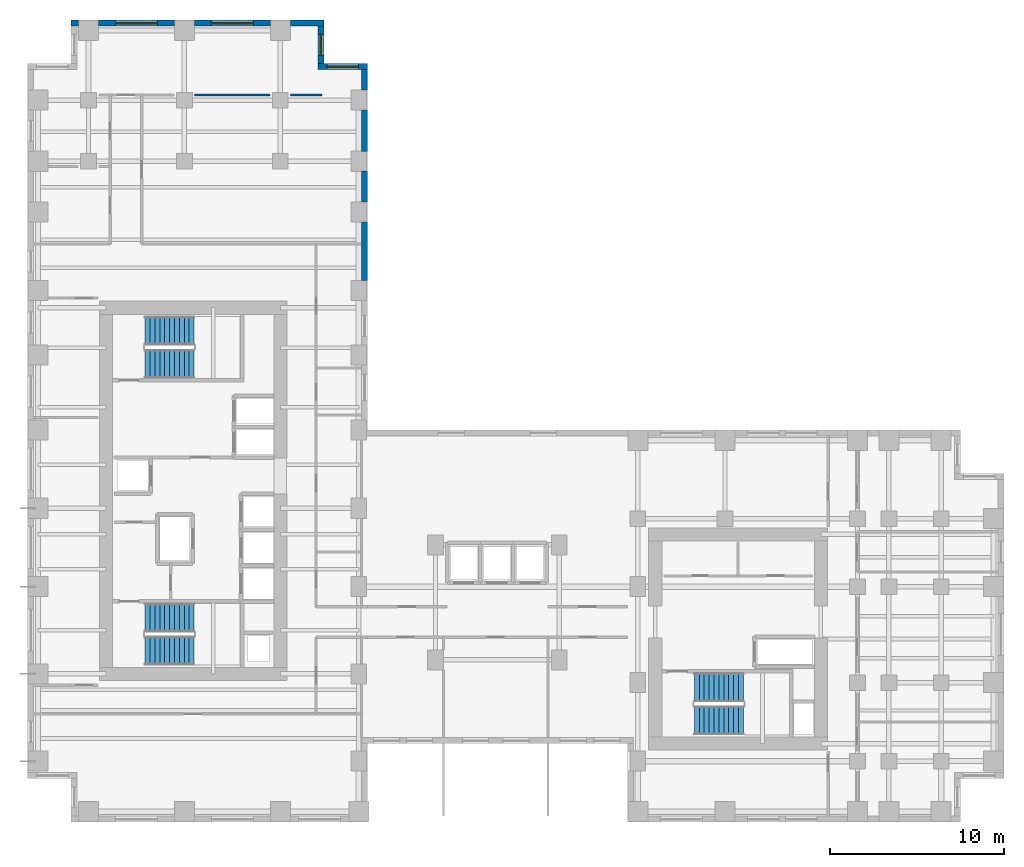
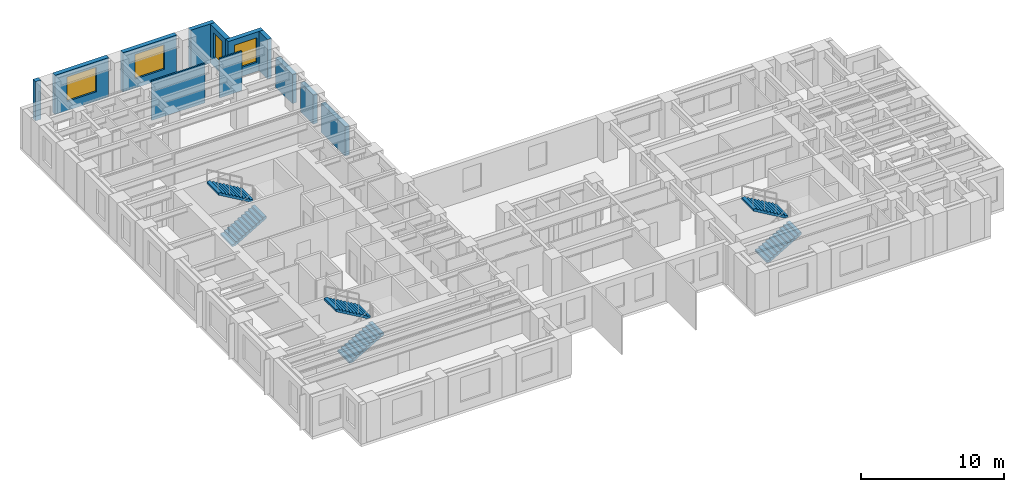
# One storey, part 9 of 11: 12 walls, 6 stair flights, 4 windows, 4 openings, 3 elements without a shape of their own.
"""IFC4 building model written with IfcOpenShell, lengths in metres."""

from ifc_helpers import new_model, si_unit, direction, frame, frame_2d, origin, place, context, subcontext, project, spatial, polyline, rectangle, outline, extrude, source, transform, mapped, material, layer, layer_set, type_object, element, fill, aggregate, save


model = new_model("IFC4")

# Units and contexts
model_context = context("Model", 3, precision=1e-05, world=origin(), true_north=direction((0.0, 1.0)))
body_context = subcontext(model_context, "Body", "Model", "MODEL_VIEW")
ifc_project = project(units=[si_unit("LENGTHUNIT", "METRE"), si_unit("AREAUNIT", "SQUARE_METRE"), si_unit("VOLUMEUNIT", "CUBIC_METRE"), si_unit("PLANEANGLEUNIT", "RADIAN"), si_unit("MASSUNIT", "GRAM", prefix="KILO")], contexts=[model_context])

# Site, building, storey
site_placement = place(None, origin())
site = spatial("IfcSite", under=ifc_project, at=site_placement, CompositionType="ELEMENT")
building_placement = place(site_placement, origin())
building = spatial("IfcBuilding", under=site, at=building_placement, Name="Kharzan Plaza Tower", CompositionType="ELEMENT")
storey_placement = place(building_placement, frame((0.0, 0.0, 84.60009765625)))
storey = spatial("IfcBuildingStorey", under=building, at=storey_placement, Name="L22", CompositionType="ELEMENT", Elevation=84.60009765625)

# Wall, opening, window
ifc_material_1 = material(Name="Concrete C40/50", Category="concrete")
ifc_layer_1 = layer(ifc_material_1, 0.35009765625)
ifc_layer_set_1 = layer_set([ifc_layer_1], Name="Concrete C40/50")
wall_type_1 = type_object("IfcWallType", Name="WL-EXT-MAS-Z2", PredefinedType="SOLIDWALL", material=ifc_layer_set_1)
wall_1_placement = place(storey_placement, frame((19.5, 43.324951171875, 0.0), z_axis=(0.0, 0.0, 1.0), x_axis=(-1.0, 0.0, 0.0)))
wall_1 = element("IfcWall", 1, at=wall_1_placement, inside=storey, type_object=wall_type_1, Name="L22 Masonry-Frame Exterior Wall 01", PredefinedType="SOLIDWALL", context=body_context, shape_type="SweptSolid", body=[
    extrude(rectangle(XDim=2.85009765625, YDim=0.35009765625, at=frame_2d((1.425048828125, 0.0))), origin(), (0.0, 0.0, 1.0), 3.364990234375),
])
opening_1_placement = place(wall_1_placement, frame((0.52490234375, 0.0, 0.780029296875)))
opening_1 = element("IfcOpeningElement", 2, at=opening_1_placement, cuts=wall_1, Name="Opening W1", PredefinedType="OPENING", context=body_context, shape_type="SweptSolid", body=[
    extrude(rectangle(XDim=1.800048828125, YDim=2.10009765625, at=frame_2d((0.89990234375, 1.050048828125))), frame((0.0, 0.18505859375, 0.0), z_axis=(0.0, -1.0, 0.0), x_axis=(1.0, 0.0, 0.0)), (0.0, 0.0, 1.0), 0.3701171875),
])
ifc_material_2 = material(Name="Low-E Double Glazing", Category="glass")
window_type_1 = type_object("IfcWindowType", Name="WN-REC-1800x2100", PartitioningType="SINGLE_PANEL", PredefinedType="WINDOW", material=ifc_material_2)
shared_shape_1 = source(origin(), body_context, "Body", "SweptSolid", [
    extrude(rectangle(XDim=1.800048828125, YDim=2.10009765625, at=frame_2d((0.89990234375, 1.050048828125))), frame((0.0, 0.030029296875, 0.0), z_axis=(0.0, -1.0, 0.0), x_axis=(1.0, 0.0, 0.0)), (0.0, 0.0, 1.0), 0.06005859375),
])
window_1_placement = place(opening_1_placement, origin())
window_1 = element("IfcWindow", 3, at=window_1_placement, inside=storey, type_object=window_type_1, Name="L22 Recessed Solar-Control Window 01-1", OverallHeight=2.10009765625, OverallWidth=1.800048828125, PartitioningType="SINGLE_PANEL", PredefinedType="WINDOW", context=body_context, shape_type="MappedRepresentation", body=[
    mapped(shared_shape_1, transform((0.0, 0.0, 0.0), x_axis=(1.0, 0.0, 0.0), y_axis=(0.0, 1.0, 0.0), z_axis=(0.0, 0.0, 1.0))),
])
fill(opening_1, window_1)

wall_2_placement = place(storey_placement, frame((16.824951171875, 43.498046875, 0.0), z_axis=(0.0, 0.0, 1.0), x_axis=(0.0, 1.0, 0.0)))
wall_2 = element("IfcWall", 4, at=wall_2_placement, inside=storey, type_object=wall_type_1, Name="L22 Masonry-Frame Exterior Wall 02", PredefinedType="SOLIDWALL", context=body_context, shape_type="SweptSolid", body=[
    extrude(rectangle(XDim=2.154052734375, YDim=0.35009765625, at=frame_2d((1.0771484375, 0.0))), origin(), (0.0, 0.0, 1.0), 3.364990234375),
])
opening_2_placement = place(wall_2_placement, frame((0.47705078125, 0.0, 0.780029296875)))
opening_2 = element("IfcOpeningElement", 5, at=opening_2_placement, cuts=wall_2, Name="Opening W3", PredefinedType="OPENING", context=body_context, shape_type="SweptSolid", body=[
    extrude(rectangle(XDim=1.199951171875, YDim=2.10009765625, at=frame_2d((0.60009765625, 1.050048828125))), frame((0.0, 0.18505859375, 0.0), z_axis=(0.0, -1.0, 0.0), x_axis=(1.0, 0.0, 0.0)), (0.0, 0.0, 1.0), 0.3701171875),
])
window_type_2 = type_object("IfcWindowType", Name="WN-REC-1200x2100", PartitioningType="SINGLE_PANEL", PredefinedType="WINDOW", material=ifc_material_2)
shared_shape_2 = source(origin(), body_context, "Body", "SweptSolid", [
    extrude(rectangle(XDim=1.199951171875, YDim=2.10009765625, at=frame_2d((0.60009765625, 1.050048828125))), frame((0.0, 0.030029296875, 0.0), z_axis=(0.0, -1.0, 0.0), x_axis=(1.0, 0.0, 0.0)), (0.0, 0.0, 1.0), 0.06005859375),
])
window_2_placement = place(opening_2_placement, origin())
window_2 = element("IfcWindow", 6, at=window_2_placement, inside=storey, type_object=window_type_2, Name="L22 Recessed Solar-Control Window 02-1", OverallHeight=2.10009765625, OverallWidth=1.199951171875, PartitioningType="SINGLE_PANEL", PredefinedType="WINDOW", context=body_context, shape_type="MappedRepresentation", body=[
    mapped(shared_shape_2, transform((0.0, 0.0, 0.0), x_axis=(1.0, 0.0, 0.0), y_axis=(0.0, 1.0, 0.0), z_axis=(0.0, 0.0, 1.0))),
])
fill(opening_2, window_2)

wall_3_placement = place(storey_placement, frame((13.927001953125, 45.824951171875, 0.0), z_axis=(0.0, 0.0, 1.0), x_axis=(-1.0, 0.0, 0.0)))
wall_3 = element("IfcWall", 7, at=wall_3_placement, inside=storey, type_object=wall_type_1, Name="L22 Masonry-Frame Exterior Wall 04", PredefinedType="SOLIDWALL", context=body_context, shape_type="SweptSolid", body=[
    extrude(rectangle(XDim=4.35400390625, YDim=0.35009765625, at=frame_2d((2.177001953125, 0.0))), origin(), (0.0, 0.0, 1.0), 3.364990234375),
])
opening_3_placement = place(wall_3_placement, frame((0.97705078125, 0.0, 0.780029296875)))
opening_3 = element("IfcOpeningElement", 8, at=opening_3_placement, cuts=wall_3, Name="Opening W2", PredefinedType="OPENING", context=body_context, shape_type="SweptSolid", body=[
    extrude(rectangle(XDim=2.39990234375, YDim=2.10009765625, at=frame_2d((1.199951171875, 1.050048828125))), frame((0.0, 0.18505859375, 0.0), z_axis=(0.0, -1.0, 0.0), x_axis=(1.0, 0.0, 0.0)), (0.0, 0.0, 1.0), 0.3701171875),
])
window_type_3 = type_object("IfcWindowType", Name="WN-REC-2400x2100", PartitioningType="SINGLE_PANEL", PredefinedType="WINDOW", material=ifc_material_2)
shared_shape_3 = source(origin(), body_context, "Body", "SweptSolid", [
    extrude(rectangle(XDim=2.39990234375, YDim=2.10009765625, at=frame_2d((1.199951171875, 1.050048828125))), frame((0.0, 0.030029296875, 0.0), z_axis=(0.0, -1.0, 0.0), x_axis=(1.0, 0.0, 0.0)), (0.0, 0.0, 1.0), 0.06005859375),
])
window_3_placement = place(opening_3_placement, origin())
window_3 = element("IfcWindow", 9, at=window_3_placement, inside=storey, type_object=window_type_3, Name="L22 Wide Recessed Solar-Control Window 04-1", OverallHeight=2.10009765625, OverallWidth=2.39990234375, PartitioningType="SINGLE_PANEL", PredefinedType="WINDOW", context=body_context, shape_type="MappedRepresentation", body=[
    mapped(shared_shape_3, transform((0.0, 0.0, 0.0), x_axis=(1.0, 0.0, 0.0), y_axis=(0.0, 1.0, 0.0), z_axis=(0.0, 0.0, 1.0))),
])
fill(opening_3, window_3)

wall_4_placement = place(storey_placement, frame((8.427001953125, 45.824951171875, 0.0), z_axis=(0.0, 0.0, 1.0), x_axis=(-1.0, 0.0, 0.0)))
wall_4 = element("IfcWall", 10, at=wall_4_placement, inside=storey, type_object=wall_type_1, Name="L22 Masonry-Frame Exterior Wall 05", PredefinedType="SOLIDWALL", context=body_context, shape_type="SweptSolid", body=[
    extrude(rectangle(XDim=4.35400390625, YDim=0.35009765625, at=frame_2d((2.177001953125, 0.0))), origin(), (0.0, 0.0, 1.0), 3.364990234375),
])
opening_4_placement = place(wall_4_placement, frame((0.97705078125, 0.0, 0.780029296875)))
opening_4 = element("IfcOpeningElement", 11, at=opening_4_placement, cuts=wall_4, Name="Opening W2", PredefinedType="OPENING", context=body_context, shape_type="SweptSolid", body=[
    extrude(rectangle(XDim=2.39990234375, YDim=2.10009765625, at=frame_2d((1.199951171875, 1.050048828125))), frame((0.0, 0.18505859375, 0.0), z_axis=(0.0, -1.0, 0.0), x_axis=(1.0, 0.0, 0.0)), (0.0, 0.0, 1.0), 0.3701171875),
])
window_4_placement = place(opening_4_placement, origin())
window_4 = element("IfcWindow", 12, at=window_4_placement, inside=storey, type_object=window_type_3, Name="L22 Wide Recessed Solar-Control Window 05-1", OverallHeight=2.10009765625, OverallWidth=2.39990234375, PartitioningType="SINGLE_PANEL", PredefinedType="WINDOW", context=body_context, shape_type="MappedRepresentation", body=[
    mapped(shared_shape_3, transform((0.0, 0.0, 0.0), x_axis=(1.0, 0.0, 0.0), y_axis=(0.0, 1.0, 0.0), z_axis=(0.0, 0.0, 1.0))),
])
fill(opening_4, window_4)

# Walls
shared_shape_4 = source(origin(), body_context, "Body", "SweptSolid", [
    extrude(rectangle(XDim=1.927001953125, YDim=0.35009765625, at=frame_2d((0.96337890625, 0.0))), origin(), (0.0, 0.0, 1.0), 3.364990234375),
])
wall_5_placement = place(storey_placement, frame((17.0, 45.824951171875, 0.0), z_axis=(0.0, 0.0, 1.0), x_axis=(-1.0, 0.0, 0.0)))
element("IfcWall", 13, at=wall_5_placement, inside=storey, type_object=wall_type_1, Name="L22 Masonry-Frame Exterior Wall 03", PredefinedType="SOLIDWALL", context=body_context, shape_type="MappedRepresentation", body=[
    mapped(shared_shape_4, transform((0.0, 0.0, 0.0), x_axis=(1.0, 0.0, 0.0), y_axis=(0.0, 1.0, 0.0), z_axis=(0.0, 0.0, 1.0))),
])
shared_shape_5 = source(origin(), body_context, "Body", "SweptSolid", [
    extrude(rectangle(XDim=0.427001953125, YDim=0.35009765625, at=frame_2d((0.21337890625, 0.0))), origin(), (0.0, 0.0, 1.0), 3.364990234375),
])
wall_6_placement = place(storey_placement, frame((2.927001953125, 45.824951171875, 0.0), z_axis=(0.0, 0.0, 1.0), x_axis=(-1.0, 0.0, 0.0)))
element("IfcWall", 14, at=wall_6_placement, inside=storey, type_object=wall_type_1, Name="L22 Masonry-Frame Exterior Wall 06", PredefinedType="SOLIDWALL", context=body_context, shape_type="MappedRepresentation", body=[
    mapped(shared_shape_5, transform((0.0, 0.0, 0.0), x_axis=(1.0, 0.0, 0.0), y_axis=(0.0, 1.0, 0.0), z_axis=(0.0, 0.0, 1.0))),
])
shared_shape_6 = source(origin(), body_context, "Body", "SweptSolid", [
    extrude(rectangle(XDim=1.17919921875, YDim=0.35009765625, at=frame_2d((0.589599609375, 0.0))), origin(), (0.0, 0.0, 1.0), 3.364990234375),
])
wall_7_placement = place(storey_placement, frame((19.324951171875, 41.972900390625, 0.0), z_axis=(0.0, 0.0, 1.0), x_axis=(0.0, 1.0, 0.0)))
element("IfcWall", 15, at=wall_7_placement, inside=storey, type_object=wall_type_1, Name="L22 Masonry-Frame Exterior Wall 54", PredefinedType="SOLIDWALL", context=body_context, shape_type="MappedRepresentation", body=[
    mapped(shared_shape_6, transform((0.0, 0.0, 0.0), x_axis=(1.0, 0.0, 0.0), y_axis=(0.0, 1.0, 0.0), z_axis=(0.0, 0.0, 1.0))),
])
shared_shape_7 = source(origin(), body_context, "Body", "SweptSolid", [
    extrude(rectangle(XDim=1.75390625, YDim=0.35009765625, at=frame_2d((0.876953125, 0.0))), origin(), (0.0, 0.0, 1.0), 2.518798828125),
])
wall_8_placement = place(storey_placement, frame((19.324951171875, 35.572998046875, 0.0), z_axis=(0.0, 0.0, 1.0), x_axis=(0.0, 1.0, 0.0)))
element("IfcWall", 16, at=wall_8_placement, inside=storey, type_object=wall_type_1, Name="L22 Masonry-Frame Exterior Wall 52", PredefinedType="SOLIDWALL", context=body_context, shape_type="MappedRepresentation", body=[
    mapped(shared_shape_7, transform((0.0, 0.0, 0.0), x_axis=(1.0, 0.0, 0.0), y_axis=(0.0, 1.0, 0.0), z_axis=(0.0, 0.0, 1.0))),
])
shared_shape_8 = source(origin(), body_context, "Body", "SweptSolid", [
    extrude(rectangle(XDim=3.35400390625, YDim=0.35009765625, at=frame_2d((1.677001953125, 0.0))), origin(), (0.0, 0.0, 1.0), 2.518798828125),
])
wall_9_placement = place(storey_placement, frame((19.324951171875, 31.072998046875, 0.0), z_axis=(0.0, 0.0, 1.0), x_axis=(0.0, 1.0, 0.0)))
element("IfcWall", 17, at=wall_9_placement, inside=storey, type_object=wall_type_1, Name="L22 Masonry-Frame Exterior Wall 51", PredefinedType="SOLIDWALL", context=body_context, shape_type="MappedRepresentation", body=[
    mapped(shared_shape_8, transform((0.0, 0.0, 0.0), x_axis=(1.0, 0.0, 0.0), y_axis=(0.0, 1.0, 0.0), z_axis=(0.0, 0.0, 1.0))),
])
shared_shape_9 = source(origin(), body_context, "Body", "SweptSolid", [
    extrude(rectangle(XDim=2.35400390625, YDim=0.35009765625, at=frame_2d((1.177001953125, 0.0))), origin(), (0.0, 0.0, 1.0), 2.518798828125),
])
wall_10_placement = place(storey_placement, frame((19.324951171875, 38.472900390625, 0.0), z_axis=(0.0, 0.0, 1.0), x_axis=(0.0, 1.0, 0.0)))
element("IfcWall", 18, at=wall_10_placement, inside=storey, type_object=wall_type_1, Name="L22 Masonry-Frame Exterior Wall 53", PredefinedType="SOLIDWALL", context=body_context, shape_type="MappedRepresentation", body=[
    mapped(shared_shape_9, transform((0.0, 0.0, 0.0), x_axis=(1.0, 0.0, 0.0), y_axis=(0.0, 1.0, 0.0), z_axis=(0.0, 0.0, 1.0))),
])
ifc_material_3 = material(Name="Fire-Rated Gypsum Board Partition", Category="gypsum")
ifc_layer_2 = layer(ifc_material_3, 0.125)
ifc_layer_set_2 = layer_set([ifc_layer_2], Name="Fire-Rated Gypsum Board Partition")
wall_type_2 = type_object("IfcWallType", Name="WL-INT-PART-125", PredefinedType="PARTITIONING", material=ifc_layer_set_2)
shared_shape_10 = source(origin(), body_context, "Body", "SweptSolid", [
    extrude(rectangle(XDim=4.31982421875, YDim=0.125, at=frame_2d((2.159912109375, 0.0))), origin(), (0.0, 0.0, 1.0), 3.364990234375),
])
wall_11_placement = place(storey_placement, frame((9.590087890625, 41.699951171875, 0.0), z_axis=(0.0, 0.0, 1.0), x_axis=(1.0, 0.0, 0.0)))
element("IfcWall", 19, at=wall_11_placement, inside=storey, type_object=wall_type_2, Name="L22 Interior Partition SH-SPHE-S2", PredefinedType="PARTITIONING", context=body_context, shape_type="MappedRepresentation", body=[
    mapped(shared_shape_10, transform((0.0, 0.0, 0.0), x_axis=(1.0, 0.0, 0.0), y_axis=(0.0, 1.0, 0.0), z_axis=(0.0, 0.0, 1.0))),
])
shared_shape_11 = source(origin(), body_context, "Body", "SweptSolid", [
    extrude(rectangle(XDim=1.809814453125, YDim=0.125, at=frame_2d((0.90478515625, 0.0))), origin(), (0.0, 0.0, 1.0), 3.364990234375),
])
wall_12_placement = place(storey_placement, frame((15.090087890625, 41.699951171875, 0.0), z_axis=(0.0, 0.0, 1.0), x_axis=(1.0, 0.0, 0.0)))
element("IfcWall", 20, at=wall_12_placement, inside=storey, type_object=wall_type_2, Name="L22 Interior Partition SH-SPHE-S3", PredefinedType="PARTITIONING", context=body_context, shape_type="MappedRepresentation", body=[
    mapped(shared_shape_11, transform((0.0, 0.0, 0.0), x_axis=(1.0, 0.0, 0.0), y_axis=(0.0, 1.0, 0.0), z_axis=(0.0, 0.0, 1.0))),
])

# Stair, stair flights
stair_type_1 = type_object("IfcStairType", Name="STR-ST-1", PredefinedType="HALF_TURN_STAIR", material=ifc_material_1)
stair_1_placement = place(storey_placement, origin())
stair_1 = element("IfcStair", 21, at=stair_1_placement, inside=storey, type_object=stair_type_1, Name="L22 Protected Exit Stair ST-1", PredefinedType="HALF_TURN_STAIR")
stair_flight_type = type_object("IfcStairFlightType", Name="SFL-1650-R173", PredefinedType="STRAIGHT", material=ifc_material_1)
shared_shape_12 = source(origin(), body_context, "Body", "SweptSolid", [
    extrude(outline(polyline([(-0.0029296875, -0.011962890625), (-0.0029296875, 0.0), (0.0, 0.0), (0.0, 0.16357421875), (0.280029296875, 0.16357421875), (0.280029296875, 0.3271484375), (0.56005859375, 0.3271484375), (0.56005859375, 0.49072265625), (0.840087890625, 0.49072265625), (0.840087890625, 0.654296875), (1.1201171875, 0.654296875), (1.1201171875, 0.81787109375), (1.400146484375, 0.81787109375), (1.400146484375, 0.9814453125), (1.68017578125, 0.9814453125), (1.68017578125, 1.14501953125), (1.960205078125, 1.14501953125), (1.960205078125, 1.30859375), (2.240234375, 1.30859375), (2.240234375, 1.47216796875), (2.520263671875, 1.47216796875), (2.520263671875, 1.6357421875), (2.80029296875, 1.6357421875), (2.80029296875, 1.79931640625), (2.80029296875, 1.462158203125), (0.297119140625, 0.0), (0.297119140625, -0.011962890625), (-0.0029296875, -0.011962890625)])), frame((0.0, 0.824951171875, 0.0), z_axis=(0.0, -1.0, 0.0), x_axis=(1.0, 0.0, 0.0)), (0.0, 0.0, 1.0), 1.64990234375),
])
stair_flight_1_placement = place(storey_placement, frame((6.75, 9.824951171875, 0.0), z_axis=(0.0, 0.0, 1.0), x_axis=(1.0, 0.0, 0.0)))
stair_flight_1 = element("IfcStairFlight", 22, at=stair_flight_1_placement, type_object=stair_flight_type, Name="ST-1 flight 1", NumberOfRisers=11, NumberOfTreads=10, PredefinedType="STRAIGHT", RiserHeight=0.163636364, TreadLength=0.28, context=body_context, shape_type="MappedRepresentation", body=[
    mapped(shared_shape_12, transform((0.0, 0.0, 0.0), x_axis=(1.0, 0.0, 0.0), y_axis=(0.0, 1.0, 0.0), z_axis=(0.0, 0.0, 1.0))),
])
stair_flight_2_placement = place(storey_placement, frame((9.550048828125, 11.72509765625, 1.7998046875), z_axis=(0.0, 0.0, 1.0), x_axis=(-1.0, 0.0, 0.0)))
stair_flight_2 = element("IfcStairFlight", 23, at=stair_flight_2_placement, type_object=stair_flight_type, Name="ST-1 flight 2", NumberOfRisers=11, NumberOfTreads=10, PredefinedType="STRAIGHT", RiserHeight=0.163636364, TreadLength=0.28, context=body_context, shape_type="MappedRepresentation", body=[
    mapped(shared_shape_12, transform((0.0, 0.0, 0.0), x_axis=(1.0, 0.0, 0.0), y_axis=(0.0, 1.0, 0.0), z_axis=(0.0, 0.0, 1.0))),
])
aggregate(stair_1, [stair_flight_1, stair_flight_2])

stair_type_2 = type_object("IfcStairType", Name="STR-ST-2", PredefinedType="HALF_TURN_STAIR", material=ifc_material_1)
stair_2_placement = place(storey_placement, origin())
stair_2 = element("IfcStair", 24, at=stair_2_placement, inside=storey, type_object=stair_type_2, Name="L22 Protected Exit Stair ST-2", PredefinedType="HALF_TURN_STAIR")
stair_flight_3_placement = place(storey_placement, frame((6.75, 26.27490234375, 0.0), z_axis=(0.0, 0.0, 1.0), x_axis=(1.0, 0.0, 0.0)))
stair_flight_3 = element("IfcStairFlight", 25, at=stair_flight_3_placement, type_object=stair_flight_type, Name="ST-2 flight 1", NumberOfRisers=11, NumberOfTreads=10, PredefinedType="STRAIGHT", RiserHeight=0.163636364, TreadLength=0.28, context=body_context, shape_type="MappedRepresentation", body=[
    mapped(shared_shape_12, transform((0.0, 0.0, 0.0), x_axis=(1.0, 0.0, 0.0), y_axis=(0.0, 1.0, 0.0), z_axis=(0.0, 0.0, 1.0))),
])
stair_flight_4_placement = place(storey_placement, frame((9.550048828125, 28.175048828125, 1.7998046875), z_axis=(0.0, 0.0, 1.0), x_axis=(-1.0, 0.0, 0.0)))
stair_flight_4 = element("IfcStairFlight", 26, at=stair_flight_4_placement, type_object=stair_flight_type, Name="ST-2 flight 2", NumberOfRisers=11, NumberOfTreads=10, PredefinedType="STRAIGHT", RiserHeight=0.163636364, TreadLength=0.28, context=body_context, shape_type="MappedRepresentation", body=[
    mapped(shared_shape_12, transform((0.0, 0.0, 0.0), x_axis=(1.0, 0.0, 0.0), y_axis=(0.0, 1.0, 0.0), z_axis=(0.0, 0.0, 1.0))),
])
aggregate(stair_2, [stair_flight_3, stair_flight_4])

stair_type_3 = type_object("IfcStairType", Name="STR-ST-3", PredefinedType="HALF_TURN_STAIR", material=ifc_material_1)
stair_3_placement = place(storey_placement, origin())
stair_3 = element("IfcStair", 27, at=stair_3_placement, inside=storey, type_object=stair_type_3, Name="L22 Protected Exit Stair ST-3", PredefinedType="HALF_TURN_STAIR")
stair_flight_5_placement = place(storey_placement, frame((38.25, 5.824951171875, 0.0), z_axis=(0.0, 0.0, 1.0), x_axis=(1.0, 0.0, 0.0)))
stair_flight_5 = element("IfcStairFlight", 28, at=stair_flight_5_placement, type_object=stair_flight_type, Name="ST-3 flight 1", NumberOfRisers=11, NumberOfTreads=10, PredefinedType="STRAIGHT", RiserHeight=0.163636364, TreadLength=0.28, context=body_context, shape_type="MappedRepresentation", body=[
    mapped(shared_shape_12, transform((0.0, 0.0, 0.0), x_axis=(1.0, 0.0, 0.0), y_axis=(0.0, 1.0, 0.0), z_axis=(0.0, 0.0, 1.0))),
])
stair_flight_6_placement = place(storey_placement, frame((41.050048828125, 7.72509765625, 1.7998046875), z_axis=(0.0, 0.0, 1.0), x_axis=(-1.0, 0.0, 0.0)))
stair_flight_6 = element("IfcStairFlight", 29, at=stair_flight_6_placement, type_object=stair_flight_type, Name="ST-3 flight 2", NumberOfRisers=11, NumberOfTreads=10, PredefinedType="STRAIGHT", RiserHeight=0.163636364, TreadLength=0.28, context=body_context, shape_type="MappedRepresentation", body=[
    mapped(shared_shape_12, transform((0.0, 0.0, 0.0), x_axis=(1.0, 0.0, 0.0), y_axis=(0.0, 1.0, 0.0), z_axis=(0.0, 0.0, 1.0))),
])
aggregate(stair_3, [stair_flight_5, stair_flight_6])

save(model, "model.ifc")
